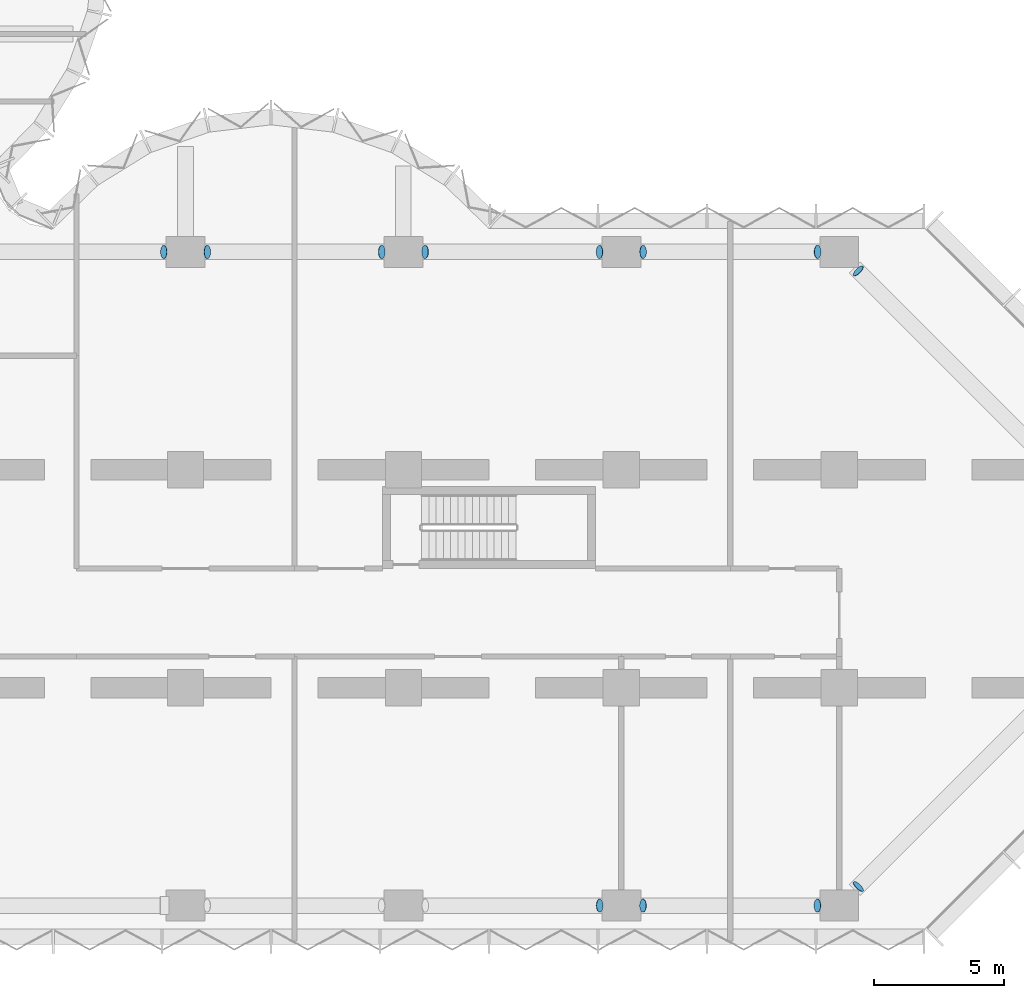
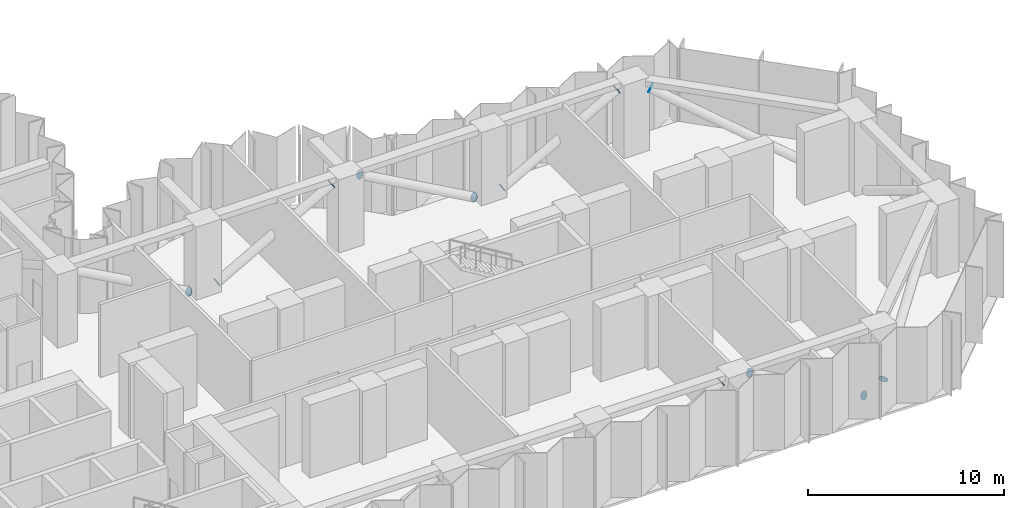
# One storey, part 5 of 18: 12 plates.
"""IFC4 building model written with IfcOpenShell, lengths in metres."""

from ifc_helpers import new_model, si_unit, direction, frame, origin, origin_2d, place, context, subcontext, project, spatial, circle, extrude, material, material_profile, profile_set, type_object, element, save


model = new_model("IFC4")

# Units and contexts
model_context = context("Model", 3, precision=1e-05, world=origin(), true_north=direction((0.0, 1.0)))
body_context = subcontext(model_context, "Body", "Model", "MODEL_VIEW")
ifc_project = project(units=[si_unit("LENGTHUNIT", "METRE"), si_unit("AREAUNIT", "SQUARE_METRE"), si_unit("VOLUMEUNIT", "CUBIC_METRE"), si_unit("PLANEANGLEUNIT", "RADIAN"), si_unit("MASSUNIT", "GRAM", prefix="KILO")], contexts=[model_context])

# Site, building, storey
site_placement = place(None, origin())
site = spatial("IfcSite", under=ifc_project, at=site_placement, CompositionType="ELEMENT")
building_placement = place(site_placement, origin())
building = spatial("IfcBuilding", under=site, at=building_placement, Name="Brevane Broadcast Tower", CompositionType="ELEMENT")
storey_placement = place(building_placement, frame((0.0, 0.0, 86.89990234375)))
storey = spatial("IfcBuildingStorey", under=building, at=storey_placement, Name="L20", CompositionType="ELEMENT", Elevation=86.89990234375)

# Plates
ifc_material = material(Name="Steel S355", Category="steel")
ifc_material_profile = material_profile(ifc_material, circle(Radius=0.25390625, at=origin_2d()), Name="PL 508 DIA x 15")
ifc_profile_set = profile_set([ifc_material_profile], Name="Steel S355")
plate_type = type_object("IfcPlateType", Name="STEEL END CAP PLATE 508 DIA x 15", PredefinedType="SHEET", material=ifc_profile_set)
plate_1_placement = place(storey_placement, frame((49.555908203125, 0.0, 3.978515625), z_axis=(0.874157276122, 0.0, 0.485642931179), x_axis=(0.0, 1.0, 0.0)))
element("IfcPlate", 1, at=plate_1_placement, inside=storey, type_object=plate_type, Name="End cap plate EC1-4", PredefinedType="SHEET", context=body_context, shape_type="SweptSolid", body=[
    extrude(circle(Radius=0.25390625, at=origin_2d()), origin(), (0.0, 0.0, 1.0), 0.01513671875),
])
plate_2_placement = place(storey_placement, frame((57.968994140625, 0.0, 0.21435546875), z_axis=(-0.870256855071, 0.0, 0.492598219852), x_axis=(0.0, -1.0, 0.0)))
element("IfcPlate", 2, at=plate_2_placement, inside=storey, type_object=plate_type, Name="End cap plate EC1-5", PredefinedType="SHEET", context=body_context, shape_type="SweptSolid", body=[
    extrude(circle(Radius=0.25390625, at=origin_2d()), origin(), (0.0, 0.0, 1.0), 0.014892578125),
])
plate_3_placement = place(storey_placement, frame((51.244140625, 0.0, 3.978515625), z_axis=(-0.874157276122, 0.0, 0.485642931179), x_axis=(0.0, -1.0, 0.0)))
element("IfcPlate", 3, at=plate_3_placement, inside=storey, type_object=plate_type, Name="End cap plate EC1-6", PredefinedType="SHEET", context=body_context, shape_type="SweptSolid", body=[
    extrude(circle(Radius=0.25390625, at=origin_2d()), origin(), (0.0, 0.0, 1.0), 0.01513671875),
])
for number, where, z_axis, x_axis, name in (
    (4, (59.530517578125, 0.73046875, 0.23193359375), (0.651894776378, 0.668192145787, 0.358542127008), (-0.715781948377, 0.698323852075, 0.0), "End cap plate EC1-7"),
    (5, (59.540283203125, 24.459716796875, 3.962890625), (-0.659022406319, 0.659022406319, 0.362462323475), (-0.707106781187, -0.707106781187, 0.0), "End cap plate EC1-12"),
):
    element("IfcPlate", number, at=place(storey_placement, frame(where, z_axis=z_axis, x_axis=x_axis)), inside=storey, type_object=plate_type, Name=name, PredefinedType="SHEET", context=body_context, shape_type="SweptSolid", body=[
        extrude(circle(Radius=0.25390625, at=origin_2d()), origin(), (0.0, 0.0, 1.0), 0.014892578125),
    ])
plate_4_placement = place(storey_placement, frame((51.23095703125, 25.199951171875, 0.21435546875), z_axis=(0.874157276122, 0.0, 0.485642931179), x_axis=(0.0, 1.0, 0.0)))
element("IfcPlate", 6, at=plate_4_placement, inside=storey, type_object=plate_type, Name="End cap plate EC1-13", PredefinedType="SHEET", context=body_context, shape_type="SweptSolid", body=[
    extrude(circle(Radius=0.25390625, at=origin_2d()), origin(), (0.0, 0.0, 1.0), 0.01513671875),
])
plate_5_placement = place(storey_placement, frame((57.9560546875, 25.199951171875, 3.978515625), z_axis=(0.870256855071, 0.0, 0.492598219852), x_axis=(0.0, 1.0, 0.0)))
element("IfcPlate", 7, at=plate_5_placement, inside=storey, type_object=plate_type, Name="End cap plate EC1-14", PredefinedType="SHEET", context=body_context, shape_type="SweptSolid", body=[
    extrude(circle(Radius=0.25390625, at=origin_2d()), origin(), (0.0, 0.0, 1.0), 0.014892578125),
])
plate_6_placement = place(storey_placement, frame((49.569091796875, 25.199951171875, 0.21435546875), z_axis=(-0.874157276122, 0.0, 0.485642931179), x_axis=(0.0, -1.0, 0.0)))
element("IfcPlate", 8, at=plate_6_placement, inside=storey, type_object=plate_type, Name="End cap plate EC1-15", PredefinedType="SHEET", context=body_context, shape_type="SweptSolid", body=[
    extrude(circle(Radius=0.25390625, at=origin_2d()), origin(), (0.0, 0.0, 1.0), 0.01513671875),
])
plate_7_placement = place(storey_placement, frame((42.843994140625, 25.199951171875, 3.978515625), z_axis=(-0.870256855071, 0.0, 0.492598219852), x_axis=(0.0, -1.0, 0.0)))
element("IfcPlate", 9, at=plate_7_placement, inside=storey, type_object=plate_type, Name="End cap plate EC1-16", PredefinedType="SHEET", context=body_context, shape_type="SweptSolid", body=[
    extrude(circle(Radius=0.25390625, at=origin_2d()), origin(), (0.0, 0.0, 1.0), 0.014892578125),
])
plate_8_placement = place(storey_placement, frame((34.430908203125, 25.199951171875, 0.21435546875), z_axis=(0.874157276122, 0.0, 0.485642931179), x_axis=(0.0, 1.0, 0.0)))
element("IfcPlate", 10, at=plate_8_placement, inside=storey, type_object=plate_type, Name="End cap plate EC1-17", PredefinedType="SHEET", context=body_context, shape_type="SweptSolid", body=[
    extrude(circle(Radius=0.25390625, at=origin_2d()), origin(), (0.0, 0.0, 1.0), 0.01513671875),
])
for number, where, z_axis, x_axis, name in (
    (11, (41.156005859375, 25.199951171875, 3.978515625), (0.870256855071, 0.0, 0.492598219852), (0.0, 1.0, 0.0), "End cap plate EC1-18"),
    (12, (32.771240234375, 25.199951171875, 0.2158203125), (-0.880994429299, 0.0, 0.473126637957), (0.0, -1.0, 0.0), "End cap plate EC1-19"),
):
    element("IfcPlate", number, at=place(storey_placement, frame(where, z_axis=z_axis, x_axis=x_axis)), inside=storey, type_object=plate_type, Name=name, PredefinedType="SHEET", context=body_context, shape_type="SweptSolid", body=[
        extrude(circle(Radius=0.25390625, at=origin_2d()), origin(), (0.0, 0.0, 1.0), 0.014892578125),
    ])

save(model, "model.ifc")
